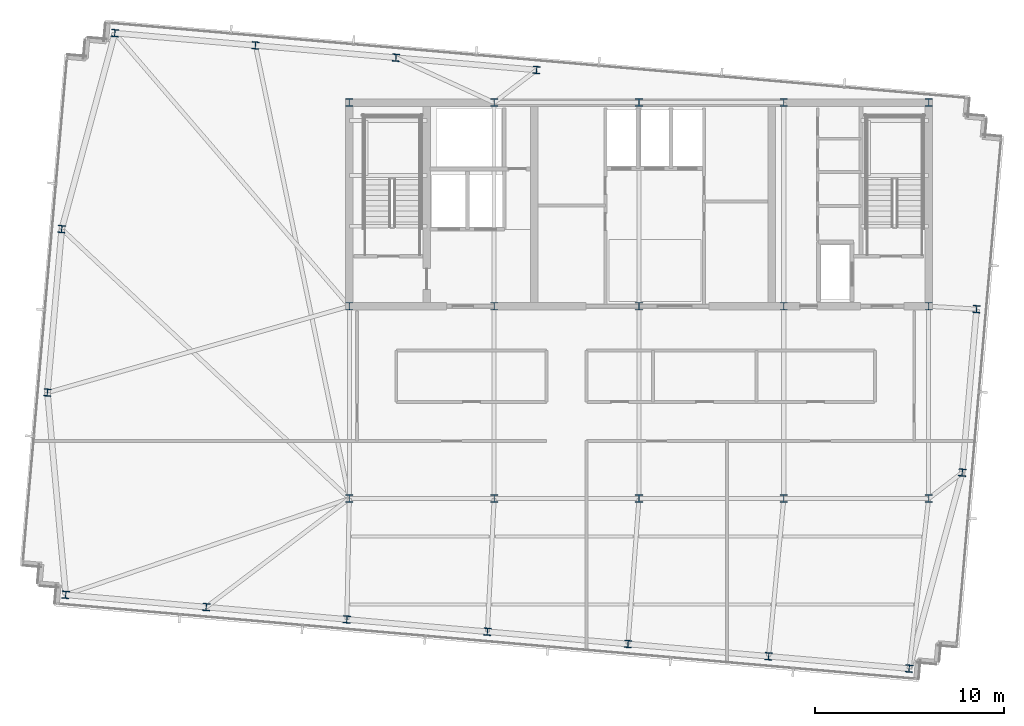
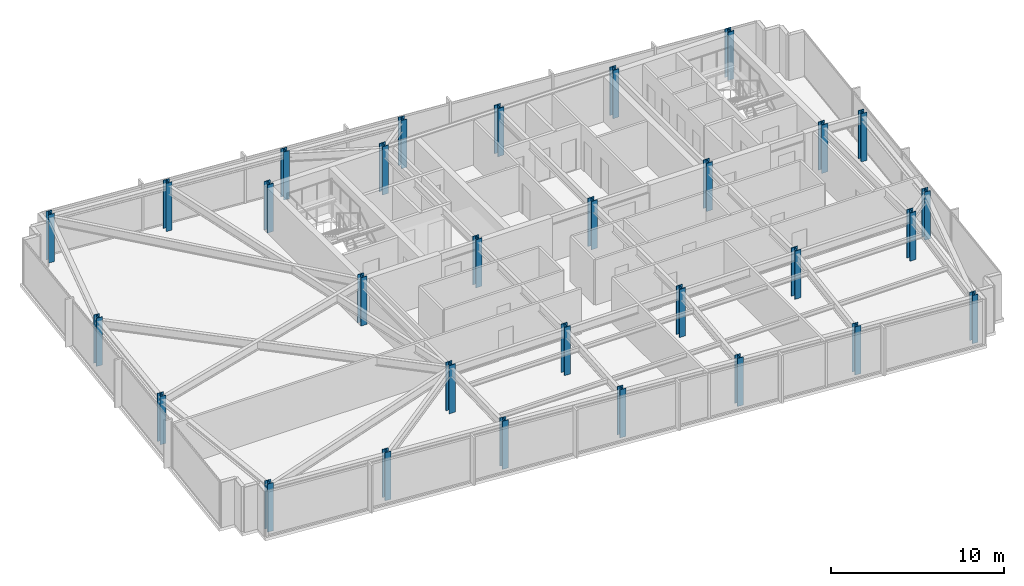
# One storey, part 1 of 32: 30 columns.
"""IFC4 building model written with IfcOpenShell, lengths in metres."""

from ifc_helpers import new_model, si_unit, direction, frame, origin, origin_2d, place, context, subcontext, project, spatial, i_section, extrude, material, material_profile, profile_set, type_object, element, save


model = new_model("IFC4")

# Units and contexts
model_context = context("Model", 3, precision=1e-05, world=origin(), true_north=direction((0.0, 1.0)))
body_context = subcontext(model_context, "Body", "Model", "MODEL_VIEW")
ifc_project = project(units=[si_unit("LENGTHUNIT", "METRE"), si_unit("AREAUNIT", "SQUARE_METRE"), si_unit("VOLUMEUNIT", "CUBIC_METRE"), si_unit("PLANEANGLEUNIT", "RADIAN"), si_unit("MASSUNIT", "GRAM", prefix="KILO")], contexts=[model_context])

# Site, building, storey
site_placement = place(None, origin())
site = spatial("IfcSite", under=ifc_project, at=site_placement, CompositionType="ELEMENT")
building_placement = place(site_placement, origin())
building = spatial("IfcBuilding", under=site, at=building_placement, Name="Yelkora Congress Tower", CompositionType="ELEMENT")
storey_placement = place(building_placement, frame((0.0, 0.0, 265.89990234375)))
storey = spatial("IfcBuildingStorey", under=building, at=storey_placement, Name="L74", CompositionType="ELEMENT", Elevation=265.89990234375)

# Columns
ifc_material_1 = material(Name="Steel S355J2", Category="steel")
ifc_material_profile_1 = material_profile(ifc_material_1, i_section(OverallWidth=0.3779296875, OverallDepth=0.386962890625, WebThickness=0.0205078125, FlangeThickness=0.033203125, FilletRadius=0.014892578125, at=origin_2d()), Name="HD 360x262")
ifc_profile_set_1 = profile_set([ifc_material_profile_1], Name="Steel S355J2")
column_type_1 = type_object("IfcColumnType", Name="COL-HD-262-EXT", PredefinedType="COLUMN", material=ifc_profile_set_1)
for number, where, z_axis, x_axis, name in (
    (1, (7.998046875, 20.097900390625, 0.0), (0.0, 0.0, 1.0), (0.996194698092, -0.087155742748, 0.0), "L74 Perimeter Column S01"),
    (2, (15.452880859375, 19.445556640625, 0.0), (0.0, 0.0, 1.0), (0.996194698092, -0.087155742748, 0.0), "L74 Perimeter Column S02"),
    (3, (22.90771484375, 18.793212890625, 0.0), (0.0, 0.0, 1.0), (0.996194698092, -0.087155742748, 0.0), "L74 Perimeter Column S03"),
    (4, (30.362548828125, 18.14111328125, 0.0), (0.0, 0.0, 1.0), (0.996194698092, -0.087155742748, 0.0), "L74 Perimeter Column S04"),
    (5, (37.8173828125, 17.489013671875, 0.0), (0.0, 0.0, 1.0), (0.996194698092, -0.087155742748, 0.0), "L74 Perimeter Column S05"),
    (6, (45.2724609375, 16.836669921875, 0.0), (0.0, 0.0, 1.0), (0.996194698092, -0.087155742748, 0.0), "L74 Perimeter Column S06"),
    (7, (52.727294921875, 16.1845703125, 0.0), (0.0, 0.0, 1.0), (0.996194698092, -0.087155742748, 0.0), "L74 Perimeter Column S07"),
    (8, (10.60400390625, 49.884033203125, 0.0), (0.0, 0.0, 1.0), (0.996194698092, -0.087155742748, 0.0), "L74 Perimeter Column N01"),
    (9, (18.058837890625, 49.231689453125, 0.0), (0.0, 0.0, 1.0), (0.996194698092, -0.087155742748, 0.0), "L74 Perimeter Column N02"),
    (10, (25.513916015625, 48.57958984375, 0.0), (0.0, 0.0, 1.0), (0.996194698092, -0.087155742748, 0.0), "L74 Perimeter Column N03"),
    (11, (32.968505859375, 47.927490234375, 0.0), (0.0, 0.0, 1.0), (0.996194698092, -0.087155742748, 0.0), "L74 Perimeter Column N04"),
    (12, (7.029052734375, 30.822998046875, 0.0), (0.0, 0.0, 1.0), (0.996194698092, -0.087155742748, 0.0), "L74 Perimeter Column W01"),
    (13, (55.543701171875, 26.57861328125, 0.0), (0.0, 0.0, 1.0), (0.996194698092, -0.087155742748, 0.0), "L74 Perimeter Column E01"),
    (14, (7.787353515625, 39.489990234375, 0.0), (0.0, 0.0, 1.0), (0.996194698092, -0.087155742748, 0.0), "L74 Perimeter Column W02"),
    (15, (56.302001953125, 35.24560546875, 0.0), (0.0, 0.0, 1.0), (0.996194698092, -0.087155742748, 0.0), "L74 Perimeter Column E02"),
):
    element("IfcColumn", number, at=place(storey_placement, frame(where, z_axis=z_axis, x_axis=x_axis)), inside=storey, type_object=column_type_1, Name=name, PredefinedType="COLUMN", context=body_context, shape_type="SweptSolid", body=[
        extrude(i_section(OverallWidth=0.3779296875, OverallDepth=0.386962890625, WebThickness=0.0205078125, FlangeThickness=0.033203125, FilletRadius=0.014892578125, at=origin_2d()), origin(), (0.0, 0.0, 1.0), 3.400146484375),
    ])
ifc_material_2 = material(Name="Steel S460M", Category="steel")
ifc_material_profile_2 = material_profile(ifc_material_2, i_section(OverallWidth=0.406005859375, OverallDepth=0.416015625, WebThickness=0.02978515625, FlangeThickness=0.048095703125, FilletRadius=0.014892578125, at=origin_2d()), Name="HD 400x382")
ifc_profile_set_2 = profile_set([ifc_material_profile_2], Name="Steel S460M")
column_type_2 = type_object("IfcColumnType", Name="COL-HD-382", PredefinedType="COLUMN", material=ifc_profile_set_2)
for number, where, z_axis, x_axis, name in (
    (16, (23.0400390625, 35.39990234375, 0.0), (0.0, 0.0, 1.0), (1.0, 0.0, 0.0), "L74 Mega Column MC-S1"),
    (17, (23.0400390625, 46.199951171875, 0.0), (0.0, 0.0, 1.0), (1.0, 0.0, 0.0), "L74 Mega Column MC-N1"),
    (18, (23.0400390625, 25.199951171875, 0.0), (0.0, 0.0, 1.0), (1.0, 0.0, 0.0), "L74 Mega Column MC-D1"),
    (19, (30.719970703125, 35.39990234375, 0.0), (0.0, 0.0, 1.0), (1.0, 0.0, 0.0), "L74 Mega Column MC-S2"),
    (20, (30.719970703125, 46.199951171875, 0.0), (0.0, 0.0, 1.0), (1.0, 0.0, 0.0), "L74 Mega Column MC-N2"),
    (21, (30.719970703125, 25.199951171875, 0.0), (0.0, 0.0, 1.0), (1.0, 0.0, 0.0), "L74 Mega Column MC-D2"),
    (22, (38.39990234375, 35.39990234375, 0.0), (0.0, 0.0, 1.0), (1.0, 0.0, 0.0), "L74 Mega Column MC-S3"),
    (23, (38.39990234375, 46.199951171875, 0.0), (0.0, 0.0, 1.0), (1.0, 0.0, 0.0), "L74 Mega Column MC-N3"),
    (24, (38.39990234375, 25.199951171875, 0.0), (0.0, 0.0, 1.0), (1.0, 0.0, 0.0), "L74 Mega Column MC-D3"),
    (25, (46.080078125, 35.39990234375, 0.0), (0.0, 0.0, 1.0), (1.0, 0.0, 0.0), "L74 Mega Column MC-S4"),
    (26, (46.080078125, 46.199951171875, 0.0), (0.0, 0.0, 1.0), (1.0, 0.0, 0.0), "L74 Mega Column MC-N4"),
    (27, (46.080078125, 25.199951171875, 0.0), (0.0, 0.0, 1.0), (1.0, 0.0, 0.0), "L74 Mega Column MC-D4"),
    (28, (53.760009765625, 35.39990234375, 0.0), (0.0, 0.0, 1.0), (1.0, 0.0, 0.0), "L74 Mega Column MC-S5"),
    (29, (53.760009765625, 46.199951171875, 0.0), (0.0, 0.0, 1.0), (1.0, 0.0, 0.0), "L74 Mega Column MC-N5"),
    (30, (53.760009765625, 25.199951171875, 0.0), (0.0, 0.0, 1.0), (1.0, 0.0, 0.0), "L74 Mega Column MC-D5"),
):
    element("IfcColumn", number, at=place(storey_placement, frame(where, z_axis=z_axis, x_axis=x_axis)), inside=storey, type_object=column_type_2, Name=name, PredefinedType="COLUMN", context=body_context, shape_type="SweptSolid", body=[
        extrude(i_section(OverallWidth=0.406005859375, OverallDepth=0.416015625, WebThickness=0.02978515625, FlangeThickness=0.048095703125, FilletRadius=0.014892578125, at=origin_2d()), origin(), (0.0, 0.0, 1.0), 3.400146484375),
    ])

save(model, "model.ifc")
